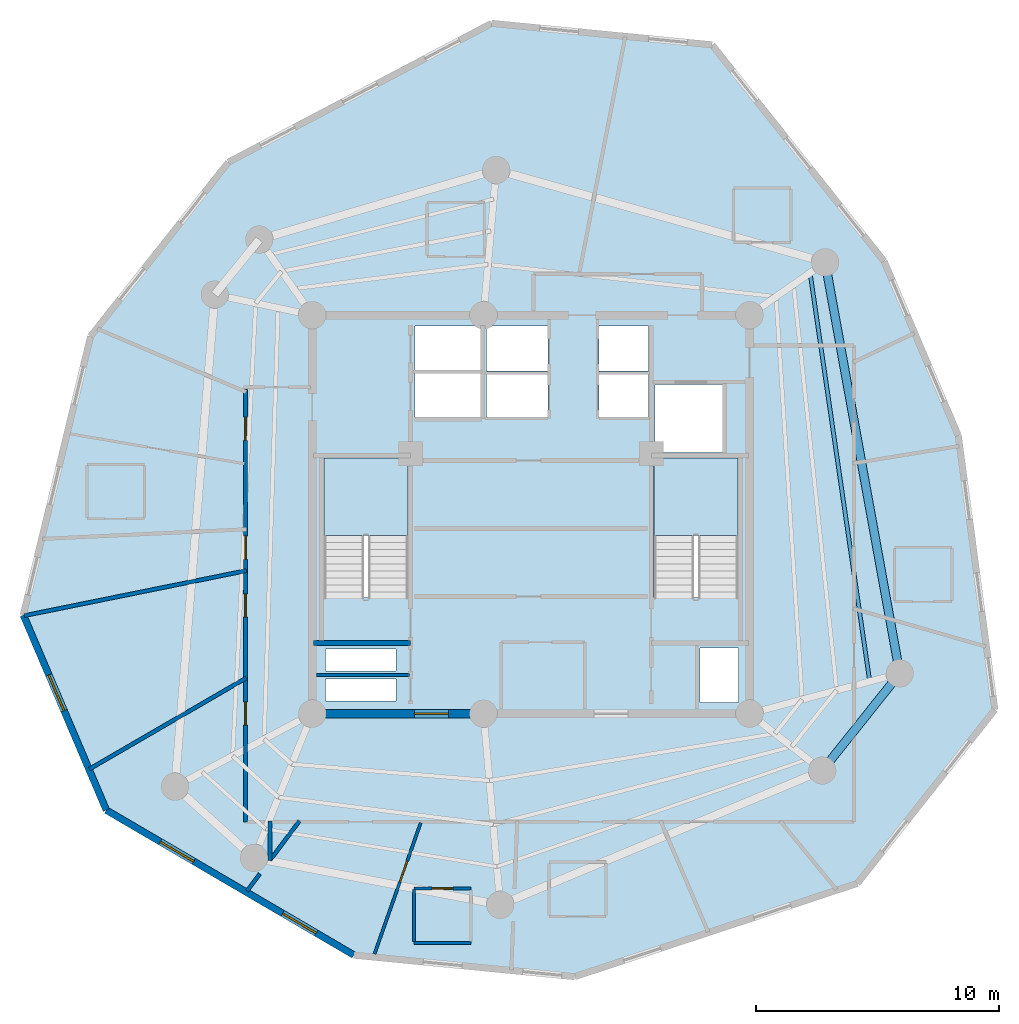
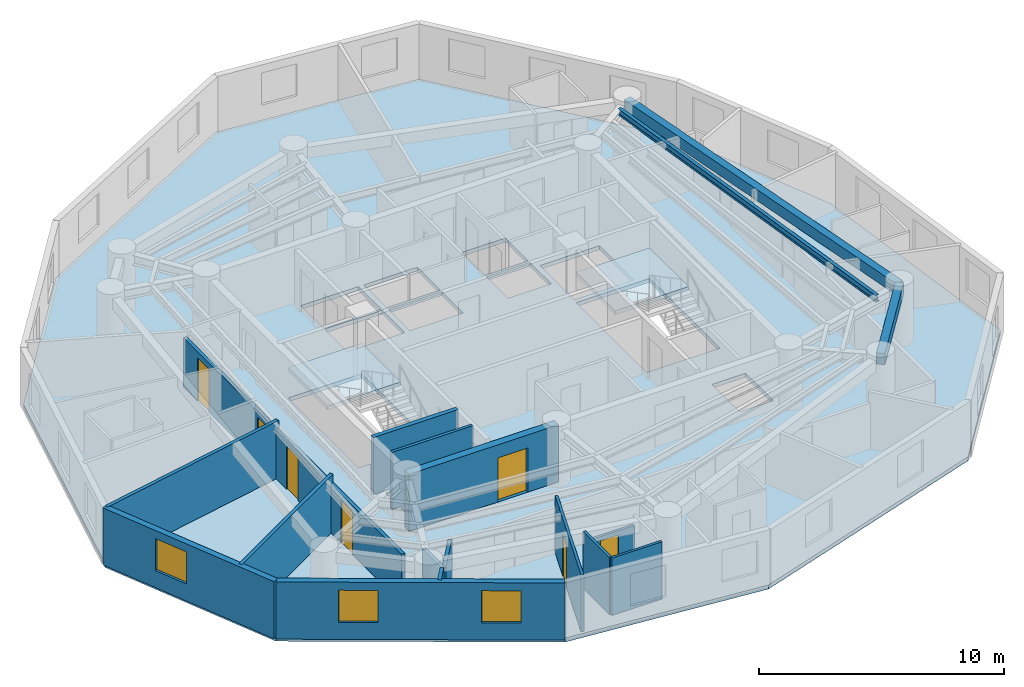
# One storey, part 2 of 7: 15 walls, 7 doors, 3 beams, 3 slabs, 3 windows, 10 openings, 2 elements without a shape of their own.
"""IFC4 building model written with IfcOpenShell, lengths in metres."""

from ifc_helpers import new_model, si_unit, direction, frame, frame_2d, origin, origin_with_axes, origin_2d, place, context, subcontext, project, spatial, polyline, rectangle, i_section, outline, extrude, source, transform, mapped, material, layer, layer_set, material_profile, profile_set, type_object, element, fill, aggregate, save


model = new_model("IFC4")

# Units and contexts
model_context = context("Model", 3, precision=1e-05, world=origin(), true_north=direction((0.0, 1.0)))
body_context = subcontext(model_context, "Body", "Model", "MODEL_VIEW")
ifc_project = project(units=[si_unit("LENGTHUNIT", "METRE"), si_unit("AREAUNIT", "SQUARE_METRE"), si_unit("VOLUMEUNIT", "CUBIC_METRE"), si_unit("PLANEANGLEUNIT", "RADIAN"), si_unit("MASSUNIT", "GRAM", prefix="KILO")], contexts=[model_context])

# Site, building, storey
site_placement = place(None, origin())
site = spatial("IfcSite", under=ifc_project, at=site_placement, CompositionType="ELEMENT")
building_placement = place(site_placement, origin())
building = spatial("IfcBuilding", under=site, at=building_placement, Name="Karkom Vertical University and Central Library", CompositionType="ELEMENT")
storey_placement = place(building_placement, frame((0.0, 0.0, 244.35009765625)))
storey = spatial("IfcBuildingStorey", under=building, at=storey_placement, Name="L72", CompositionType="ELEMENT", Elevation=244.35009765625)

# Beams
ifc_material_1 = material(Name="Precast concrete C45/55", Category="concrete")
ifc_material_profile_1 = material_profile(ifc_material_1, rectangle(XDim=0.35009765625, YDim=0.550048828125, at=origin_2d()), Name="SPB-350x550")
ifc_profile_set_1 = profile_set([ifc_material_profile_1], Name="Precast concrete C45/55")
beam_type_1 = type_object("IfcBeamType", Name="STR-BM-SP-2", PredefinedType="SPANDREL", material=ifc_profile_set_1)
shared_shape_1 = source(origin_with_axes(), body_context, "Body", "SweptSolid", [
    extrude(rectangle(XDim=0.35009765625, YDim=0.550048828125, at=origin_2d()), origin(), (0.0, 0.0, 1.0), 17.19970703125),
])
beam_1_placement = place(storey_placement, frame((43.681884765625, 19.9560546875, 2.574951171875), z_axis=(-0.178423249727, 0.983953832228, 0.0), x_axis=(-0.983953832228, -0.178423249727, 0.0)))
element("IfcBeam", 1, at=beam_1_placement, inside=storey, type_object=beam_type_1, Name="Level 72 Perimeter Spandrel Beam 01", PredefinedType="SPANDREL", context=body_context, shape_type="MappedRepresentation", body=[
    mapped(shared_shape_1, transform((0.0, 0.0, 0.0), scale=1.0)),
])
shared_shape_2 = source(origin_with_axes(), body_context, "Body", "SweptSolid", [
    extrude(rectangle(XDim=0.35009765625, YDim=0.550048828125, at=origin_2d()), origin(), (0.0, 0.0, 1.0), 5.112060546875),
])
beam_2_placement = place(storey_placement, frame((40.493896484375, 15.9599609375, 2.574951171875), z_axis=(0.623634459503, 0.78171609995, 0.0), x_axis=(-0.78171609995, 0.623634459503, 0.0)))
element("IfcBeam", 2, at=beam_2_placement, inside=storey, type_object=beam_type_1, Name="Level 72 Perimeter Spandrel Beam 09", PredefinedType="SPANDREL", context=body_context, shape_type="MappedRepresentation", body=[
    mapped(shared_shape_2, transform((0.0, 0.0, 0.0), scale=1.0)),
])
ifc_material_2 = material(Name="Steel S355", Category="steel")
ifc_material_profile_2 = material_profile(ifc_material_2, i_section(OverallWidth=0.159912109375, OverallDepth=0.330078125, WebThickness=0.007568359375, FlangeThickness=0.011474609375, FilletRadius=0.01806640625, at=origin_2d()), Name="IPE 330")
ifc_profile_set_2 = profile_set([ifc_material_profile_2], Name="Steel S355")
beam_type_2 = type_object("IfcBeamType", Name="STR-BM-SB-IPE330", PredefinedType="BEAM", material=ifc_profile_set_2)
shared_shape_3 = source(origin_with_axes(), body_context, "Body", "SweptSolid", [
    extrude(i_section(OverallWidth=0.159912109375, OverallDepth=0.330078125, WebThickness=0.007568359375, FlangeThickness=0.011474609375, FilletRadius=0.01806640625, at=origin_2d()), origin(), (0.0, 0.0, 1.0), 16.99755859375),
])
beam_3_placement = place(storey_placement, frame((42.445556640625, 19.624755859375, 2.684814453125), z_axis=(-0.144436985275, 0.98951400055, 0.0), x_axis=(-0.98951400055, -0.144436985275, 0.0)))
element("IfcBeam", 3, at=beam_3_placement, inside=storey, type_object=beam_type_2, Name="Level 72 Secondary Composite Floor Beam 3.01", PredefinedType="BEAM", context=body_context, shape_type="MappedRepresentation", body=[
    mapped(shared_shape_3, transform((0.0, 0.0, 0.0), scale=1.0)),
])

# Stair, slab
ifc_material_3 = material(Name="Concrete C45/55", Category="concrete")
stair_type = type_object("IfcStairType", Name="INT-STR-ST-MAIN", PredefinedType="HALF_TURN_STAIR", material=ifc_material_3)
stair_1_placement = place(storey_placement, origin())
stair_1 = element("IfcStair", 4, at=stair_1_placement, inside=storey, type_object=stair_type, Name="Level 72 Tower Protected Exit Stair ST-1", PredefinedType="HALF_TURN_STAIR")
ifc_layer_1 = layer(ifc_material_3, 0.199951171875)
ifc_layer_set_1 = layer_set([ifc_layer_1], Name="Concrete C45/55")
slab_type_1 = type_object("IfcSlabType", Name="INT-SLB-LANDING", PredefinedType="LANDING", material=ifc_layer_set_1)
slab_1_placement = place(storey_placement, frame((0.0, 0.0, 1.324951171875)))
slab_1 = element("IfcSlab", 5, at=slab_1_placement, type_object=slab_type_1, Name="ST-1 landing 1", PredefinedType="LANDING", context=body_context, shape_type="SweptSolid", body=[
    extrude(outline(polyline([(23.43994140625, 25.6298828125), (23.43994140625, 28.820068359375), (19.97998046875, 28.820068359375), (19.97998046875, 25.6298828125), (23.43994140625, 25.6298828125)])), origin(), (0.0, 0.0, 1.0), 0.199951171875),
])
aggregate(stair_1, [slab_1])

stair_2_placement = place(storey_placement, origin())
stair_2 = element("IfcStair", 6, at=stair_2_placement, inside=storey, type_object=stair_type, Name="Level 72 Tower Protected Exit Stair ST-2", PredefinedType="HALF_TURN_STAIR")
slab_2_placement = place(storey_placement, frame((0.0, 0.0, 1.324951171875)))
slab_2 = element("IfcSlab", 7, at=slab_2_placement, type_object=slab_type_1, Name="ST-2 landing 1", PredefinedType="LANDING", context=body_context, shape_type="SweptSolid", body=[
    extrude(outline(polyline([(37.02001953125, 25.6298828125), (37.02001953125, 28.820068359375), (33.56005859375, 28.820068359375), (33.56005859375, 25.6298828125), (37.02001953125, 25.6298828125)])), origin(), (0.0, 0.0, 1.0), 0.199951171875),
])
aggregate(stair_2, [slab_2])

# Slab
ifc_material_4 = material(Name="Concrete C40/50", Category="concrete")
ifc_layer_2 = layer(ifc_material_4, 0.199951171875)
ifc_layer_set_2 = layer_set([ifc_layer_2], Name="Concrete C40/50")
slab_type_2 = type_object("IfcSlabType", Name="STR-SLB-FLR-200", PredefinedType="FLOOR", material=ifc_layer_set_2)
slab_3_placement = place(storey_placement, frame((0.0, 0.0, -0.2001953125)))
element("IfcSlab", 8, at=slab_3_placement, inside=storey, type_object=slab_type_2, Name="Level 72 Tower Structural Floor Slab", PredefinedType="FLOOR", context=body_context, shape_type="SweptSolid", body=[
    extrude(outline(polyline([(7.60888671875, 22.35791015625), (11.025146484375, 14.3251953125), (21.2099609375, 8.36328125), (30.303466796875, 7.477783203125), (41.935302734375, 11.3154296875), (47.593017578125, 18.464599609375), (46.08740234375, 29.745361328125), (43.037109375, 36.9169921875), (35.955810546875, 45.82666015625), (26.8818359375, 46.710205078125), (16.04931640625, 40.993896484375), (10.379150390625, 33.829345703125), (7.60888671875, 22.35791015625)]), holes=[polyline([(19.97998046875, 23.0849609375), (23.43994140625, 23.0849609375), (23.43994140625, 28.820068359375), (19.97998046875, 28.820068359375), (19.97998046875, 23.0849609375)]), polyline([(33.56005859375, 23.0849609375), (37.02001953125, 23.0849609375), (37.02001953125, 28.820068359375), (33.56005859375, 28.820068359375), (33.56005859375, 23.0849609375)]), polyline([(26.679931640625, 30.5), (29.199951171875, 30.5), (29.199951171875, 32.25), (26.679931640625, 32.25), (26.679931640625, 30.5)]), polyline([(26.679931640625, 32.39990234375), (29.199951171875, 32.39990234375), (29.199951171875, 34.25), (26.679931640625, 34.25), (26.679931640625, 32.39990234375)]), polyline([(31.300048828125, 30.5), (33.35009765625, 30.5), (33.35009765625, 32.25), (31.300048828125, 32.25), (31.300048828125, 30.5)]), polyline([(31.300048828125, 32.39990234375), (33.35009765625, 32.39990234375), (33.35009765625, 34.25), (31.300048828125, 34.25), (31.300048828125, 32.39990234375)]), polyline([(23.719970703125, 30.47998046875), (26.429931640625, 30.47998046875), (26.429931640625, 32.320068359375), (23.719970703125, 32.320068359375), (23.719970703125, 30.47998046875)]), polyline([(23.719970703125, 32.419921875), (26.429931640625, 32.419921875), (26.429931640625, 34.260009765625), (23.719970703125, 34.260009765625), (23.719970703125, 32.419921875)]), polyline([(33.60009765625, 29.050048828125), (36.39990234375, 29.050048828125), (36.39990234375, 31.85009765625), (33.60009765625, 31.85009765625), (33.60009765625, 29.050048828125)]), polyline([(20.050048828125, 18.820068359375), (22.949951171875, 18.820068359375), (22.949951171875, 19.719970703125), (20.050048828125, 19.719970703125), (20.050048828125, 18.820068359375)]), polyline([(20.050048828125, 20.06005859375), (22.949951171875, 20.06005859375), (22.949951171875, 20.9599609375), (20.050048828125, 20.9599609375), (20.050048828125, 20.06005859375)]), polyline([(35.4599609375, 18.760009765625), (37.0400390625, 18.760009765625), (37.0400390625, 21.010009765625), (35.4599609375, 21.010009765625), (35.4599609375, 18.760009765625)])]), origin(), (0.0, 0.0, 1.0), 0.2001953125),
])

# Wall, opening, window
ifc_material_5 = material(Name="Brick-faced precast concrete C45/55", Category="masonry")
ifc_layer_3 = layer(ifc_material_5, 0.280029296875)
ifc_layer_set_3 = layer_set([ifc_layer_3], Name="Brick-faced precast concrete C45/55")
wall_type_1 = type_object("IfcWallType", Name="ENV-WL-BRK-280", PredefinedType="SOLIDWALL", material=ifc_layer_set_3)
wall_1_placement = place(storey_placement, frame((7.60888671875, 22.35791015625, 0.0), z_axis=(0.0, 0.0, 1.0), x_axis=(0.391369236154, -0.920233731718, 0.0)))
wall_1 = element("IfcWall", 9, at=wall_1_placement, inside=storey, type_object=wall_type_1, Name="Level 72 Brick-Faced Precast Facade Wall 01", PredefinedType="SOLIDWALL", context=body_context, shape_type="SweptSolid", body=[
    extrude(rectangle(XDim=8.72900390625, YDim=0.280029296875, at=frame_2d((4.364501953125, 0.0))), origin(), (0.0, 0.0, 1.0), 2.849853515625),
])
opening_1_placement = place(wall_1_placement, frame((2.676513671875, 0.0, 0.85009765625)))
opening_1 = element("IfcOpeningElement", 10, at=opening_1_placement, cuts=wall_1, Name="Opening WN-10", PredefinedType="OPENING", context=body_context, shape_type="SweptSolid", body=[
    extrude(rectangle(XDim=1.60009765625, YDim=1.60009765625, at=frame_2d((0.800048828125, 0.800048828125))), frame((0.0, 0.14990234375, 0.0), z_axis=(0.0, -1.0, 0.0), x_axis=(1.0, 0.0, 0.0)), (0.0, 0.0, 1.0), 0.300048828125),
])
ifc_material_6 = material(Name="Aluminium thermal-break frame with solar-control IGU", Category="aluminium")
window_type = type_object("IfcWindowType", Name="ENV-WIN-WN-10", PartitioningType="SINGLE_PANEL", PredefinedType="WINDOW", material=ifc_material_6)
shared_shape_4 = source(origin_with_axes(), body_context, "Body", "SweptSolid", [
    extrude(rectangle(XDim=1.60009765625, YDim=1.60009765625, at=frame_2d((0.800048828125, 0.800048828125))), frame((0.0, 0.030029296875, 0.0), z_axis=(0.0, -1.0, 0.0), x_axis=(1.0, 0.0, 0.0)), (0.0, 0.0, 1.0), 0.06005859375),
])
window_1_placement = place(opening_1_placement, origin())
window_1 = element("IfcWindow", 11, at=window_1_placement, inside=storey, type_object=window_type, Name="Level 72 Punched Window 1.1", OverallHeight=1.60009765625, OverallWidth=1.60009765625, PartitioningType="SINGLE_PANEL", PredefinedType="WINDOW", context=body_context, shape_type="MappedRepresentation", body=[
    mapped(shared_shape_4, transform((0.0, 0.0, 0.0), scale=1.0)),
])
fill(opening_1, window_1)

# Wall, openings, windows
wall_2_placement = place(storey_placement, frame((11.025146484375, 14.3251953125, 0.0), z_axis=(0.0, 0.0, 1.0), x_axis=(0.863011829574, -0.505183711154, 0.0)))
wall_2 = element("IfcWall", 12, at=wall_2_placement, inside=storey, type_object=wall_type_1, Name="Level 72 Brick-Faced Precast Facade Wall 02", PredefinedType="SOLIDWALL", context=body_context, shape_type="SweptSolid", body=[
    extrude(rectangle(XDim=11.801513671875, YDim=0.280029296875, at=frame_2d((5.90087890625, 0.0))), origin(), (0.0, 0.0, 1.0), 2.849853515625),
])
opening_2_placement = place(wall_2_placement, frame((2.568603515625, 0.0, 0.85009765625)))
opening_2 = element("IfcOpeningElement", 13, at=opening_2_placement, cuts=wall_2, Name="Opening WN-10", PredefinedType="OPENING", context=body_context, shape_type="SweptSolid", body=[
    extrude(rectangle(XDim=1.60009765625, YDim=1.60009765625, at=frame_2d((0.800048828125, 0.800048828125))), frame((0.0, 0.14990234375, 0.0), z_axis=(0.0, -1.0, 0.0), x_axis=(1.0, 0.0, 0.0)), (0.0, 0.0, 1.0), 0.300048828125),
])
opening_3_placement = place(wall_2_placement, frame((8.4091796875, 0.0, 0.85009765625)))
opening_3 = element("IfcOpeningElement", 14, at=opening_3_placement, cuts=wall_2, Name="Opening WN-10", PredefinedType="OPENING", context=body_context, shape_type="SweptSolid", body=[
    extrude(rectangle(XDim=1.60009765625, YDim=1.60009765625, at=frame_2d((0.800048828125, 0.800048828125))), frame((0.0, 0.14990234375, 0.0), z_axis=(0.0, -1.0, 0.0), x_axis=(1.0, 0.0, 0.0)), (0.0, 0.0, 1.0), 0.300048828125),
])
window_2_placement = place(opening_2_placement, origin())
window_2 = element("IfcWindow", 15, at=window_2_placement, inside=storey, type_object=window_type, Name="Level 72 Punched Window 2.1", OverallHeight=1.60009765625, OverallWidth=1.60009765625, PartitioningType="SINGLE_PANEL", PredefinedType="WINDOW", context=body_context, shape_type="MappedRepresentation", body=[
    mapped(shared_shape_4, transform((0.0, 0.0, 0.0), scale=1.0)),
])
fill(opening_2, window_2)
window_3_placement = place(opening_3_placement, origin())
window_3 = element("IfcWindow", 16, at=window_3_placement, inside=storey, type_object=window_type, Name="Level 72 Punched Window 2.2", OverallHeight=1.60009765625, OverallWidth=1.60009765625, PartitioningType="SINGLE_PANEL", PredefinedType="WINDOW", context=body_context, shape_type="MappedRepresentation", body=[
    mapped(shared_shape_4, transform((0.0, 0.0, 0.0), scale=1.0)),
])
fill(opening_3, window_3)

# Wall, openings, doors
ifc_material_7 = material(Name="Insulated metal-stud drywall 160mm", Category="gypsum")
ifc_layer_4 = layer(ifc_material_7, 0.159912109375)
ifc_layer_set_4 = layer_set([ifc_layer_4], Name="Insulated metal-stud drywall 160mm")
wall_type_2 = type_object("IfcWallType", Name="INT-WL-COR-160", PredefinedType="PARTITIONING", material=ifc_layer_set_4)
wall_3_placement = place(storey_placement, frame((16.75, 13.85009765625, 0.0), z_axis=(0.0, 0.0, 1.0), x_axis=(0.0, 1.0, 0.0)))
wall_3 = element("IfcWall", 17, at=wall_3_placement, inside=storey, type_object=wall_type_2, Name="Level 72 Interior Partition Wall L72-CORW-CW-002", PredefinedType="PARTITIONING", context=body_context, shape_type="SweptSolid", body=[
    extrude(rectangle(XDim=17.7998046875, YDim=0.159912109375, at=frame_2d((8.89990234375, 0.0))), origin(), (0.0, 0.0, 1.0), 2.449951171875),
])
opening_4_placement = place(wall_3_placement, frame((15.69970703125, 0.0, 0.0)))
opening_4 = element("IfcOpeningElement", 18, at=opening_4_placement, cuts=wall_3, Name="Opening FD-RM2", PredefinedType="OPENING", context=body_context, shape_type="SweptSolid", body=[
    extrude(rectangle(XDim=0.9599609375, YDim=2.14990234375, at=frame_2d((0.47998046875, 1.074951171875))), frame((0.0, 0.08984375, 0.0), z_axis=(0.0, -1.0, 0.0), x_axis=(1.0, 0.0, 0.0)), (0.0, 0.0, 1.0), 0.179931640625),
])
opening_5_placement = place(wall_3_placement, frame((10.804931640625, 0.0, 0.0)))
opening_5 = element("IfcOpeningElement", 19, at=opening_5_placement, cuts=wall_3, Name="Opening FD-RM2", PredefinedType="OPENING", context=body_context, shape_type="SweptSolid", body=[
    extrude(rectangle(XDim=0.9599609375, YDim=2.14990234375, at=frame_2d((0.47998046875, 1.074951171875))), frame((0.0, 0.08984375, 0.0), z_axis=(0.0, -1.0, 0.0), x_axis=(1.0, 0.0, 0.0)), (0.0, 0.0, 1.0), 0.179931640625),
])
opening_6_placement = place(wall_3_placement, frame((8.425048828125, 0.0, 0.0)))
opening_6 = element("IfcOpeningElement", 20, at=opening_6_placement, cuts=wall_3, Name="Opening FD-RM2", PredefinedType="OPENING", context=body_context, shape_type="SweptSolid", body=[
    extrude(rectangle(XDim=0.9599609375, YDim=2.14990234375, at=frame_2d((0.47998046875, 1.074951171875))), frame((0.0, 0.08984375, 0.0), z_axis=(0.0, -1.0, 0.0), x_axis=(1.0, 0.0, 0.0)), (0.0, 0.0, 1.0), 0.179931640625),
])
opening_7_placement = place(wall_3_placement, frame((3.97509765625, 0.0, 0.0)))
opening_7 = element("IfcOpeningElement", 21, at=opening_7_placement, cuts=wall_3, Name="Opening FD-RM2", PredefinedType="OPENING", context=body_context, shape_type="SweptSolid", body=[
    extrude(rectangle(XDim=0.9599609375, YDim=2.14990234375, at=frame_2d((0.47998046875, 1.074951171875))), frame((0.0, 0.08984375, 0.0), z_axis=(0.0, -1.0, 0.0), x_axis=(1.0, 0.0, 0.0)), (0.0, 0.0, 1.0), 0.179931640625),
])
ifc_material_8 = material(Name="Fire-rated oak veneer door", Category="wood")
door_type_1 = type_object("IfcDoorType", Name="INT-DR-FRM2", OperationType="NOTDEFINED", PredefinedType="DOOR", material=ifc_material_8)
shared_shape_5 = source(origin_with_axes(), body_context, "Body", "SweptSolid", [
    extrude(rectangle(XDim=0.9599609375, YDim=2.14990234375, at=frame_2d((0.47998046875, 1.074951171875))), frame((0.0, 0.02490234375, 0.0), z_axis=(0.0, -1.0, 0.0), x_axis=(1.0, 0.0, 0.0)), (0.0, 0.0, 1.0), 0.050048828125),
])
door_1_placement = place(opening_4_placement, origin())
door_1 = element("IfcDoor", 22, at=door_1_placement, inside=storey, type_object=door_type_1, Name="Level 72 Room Entry Door 422", OperationType="SINGLE_SWING_RIGHT", OverallHeight=2.14990234375, OverallWidth=0.9599609375, PredefinedType="DOOR", context=body_context, shape_type="MappedRepresentation", body=[
    mapped(shared_shape_5, transform((0.0, 0.0, 0.0), scale=1.0)),
])
fill(opening_4, door_1)
door_2_placement = place(opening_5_placement, origin())
door_2 = element("IfcDoor", 23, at=door_2_placement, inside=storey, type_object=door_type_1, Name="Level 72 Room Entry Door 300", OperationType="SINGLE_SWING_LEFT", OverallHeight=2.14990234375, OverallWidth=0.9599609375, PredefinedType="DOOR", context=body_context, shape_type="MappedRepresentation", body=[
    mapped(shared_shape_5, transform((0.0, 0.0, 0.0), scale=1.0)),
])
fill(opening_5, door_2)
door_3_placement = place(opening_6_placement, origin())
door_3 = element("IfcDoor", 24, at=door_3_placement, inside=storey, type_object=door_type_1, Name="Level 72 Room Entry Door 301", OperationType="SINGLE_SWING_RIGHT", OverallHeight=2.14990234375, OverallWidth=0.9599609375, PredefinedType="DOOR", context=body_context, shape_type="MappedRepresentation", body=[
    mapped(shared_shape_5, transform((0.0, 0.0, 0.0), scale=1.0)),
])
fill(opening_6, door_3)
door_4_placement = place(opening_7_placement, origin())
door_4 = element("IfcDoor", 25, at=door_4_placement, inside=storey, type_object=door_type_1, Name="Level 72 Room Entry Door 302", OperationType="SINGLE_SWING_LEFT", OverallHeight=2.14990234375, OverallWidth=0.9599609375, PredefinedType="DOOR", context=body_context, shape_type="MappedRepresentation", body=[
    mapped(shared_shape_5, transform((0.0, 0.0, 0.0), scale=1.0)),
])
fill(opening_7, door_4)

# Walls
wall_4_placement = place(storey_placement, frame((16.794189453125, 24.1875, 0.0), z_axis=(0.0, 0.0, 1.0), x_axis=(-0.980057031383, -0.198716419144, 0.0)))
element("IfcWall", 26, at=wall_4_placement, inside=storey, type_object=wall_type_2, Name="Level 72 Interior Partition Wall L72-PW-001", PredefinedType="PARTITIONING", context=body_context, shape_type="SweptSolid", body=[
    extrude(rectangle(XDim=9.332275390625, YDim=0.159912109375, at=frame_2d((4.666015625, 0.0))), origin(), (0.0, 0.0, 1.0), 2.849853515625),
])
wall_5_placement = place(storey_placement, frame((16.788818359375, 19.77001953125, 0.0), z_axis=(0.0, 0.0, 1.0), x_axis=(-0.864795816659, -0.502123685449, 0.0)))
element("IfcWall", 27, at=wall_5_placement, inside=storey, type_object=wall_type_2, Name="Level 72 Interior Partition Wall L72-PW-003", PredefinedType="PARTITIONING", context=body_context, shape_type="SweptSolid", body=[
    extrude(rectangle(XDim=7.466796875, YDim=0.159912109375, at=frame_2d((3.7333984375, 0.0))), origin(), (0.0, 0.0, 1.0), 2.849853515625),
])
wall_6_placement = place(storey_placement, frame((18.9765625, 13.885986328125, 0.0), z_axis=(0.0, 0.0, 1.0), x_axis=(-0.599536769063, -0.80034721374, 0.0)))
element("IfcWall", 28, at=wall_6_placement, inside=storey, type_object=wall_type_2, Name="Level 72 Interior Partition Wall L72-PW-004", PredefinedType="PARTITIONING", context=body_context, shape_type="SweptSolid", body=[
    extrude(rectangle(XDim=2.024169921875, YDim=0.159912109375, at=frame_2d((1.01220703125, 0.0))), origin(), (0.0, 0.0, 1.0), 2.349853515625),
])
wall_7_placement = place(storey_placement, frame((17.762939453125, 12.265869140625, 0.0), z_axis=(0.0, 0.0, 1.0), x_axis=(0.0, 1.0, 0.0)))
element("IfcWall", 29, at=wall_7_placement, inside=storey, type_object=wall_type_2, Name="Level 72 Interior Partition Wall L72-PW-005", PredefinedType="PARTITIONING", context=body_context, shape_type="SweptSolid", body=[
    extrude(rectangle(XDim=1.614013671875, YDim=0.159912109375, at=frame_2d((0.80712890625, 0.0))), origin(), (0.0, 0.0, 1.0), 2.349853515625),
])
wall_8_placement = place(storey_placement, frame((17.343505859375, 11.7060546875, 0.0), z_axis=(0.0, 0.0, 1.0), x_axis=(-0.599420746123, -0.800434112914, 0.0)))
element("IfcWall", 30, at=wall_8_placement, inside=storey, type_object=wall_type_2, Name="Level 72 Interior Partition Wall L72-PW-006", PredefinedType="PARTITIONING", context=body_context, shape_type="SweptSolid", body=[
    extrude(rectangle(XDim=0.876953125, YDim=0.159912109375, at=frame_2d((0.4384765625, 0.0))), origin(), (0.0, 0.0, 1.0), 2.849853515625),
])

# Wall, opening, door
ifc_material_9 = material(Name="Moisture-resistant drywall 120mm", Category="gypsum")
ifc_layer_5 = layer(ifc_material_9, 0.1201171875)
ifc_layer_set_5 = layer_set([ifc_layer_5], Name="Moisture-resistant drywall 120mm")
wall_type_3 = type_object("IfcWallType", Name="INT-WL-INT-120", PredefinedType="PARTITIONING", material=ifc_layer_set_5)
wall_9_placement = place(storey_placement, frame((23.96630859375, 13.8125, 0.0), z_axis=(0.0, 0.0, 1.0), x_axis=(-0.332307646576, -0.943171049189, 0.0)))
wall_9 = element("IfcWall", 31, at=wall_9_placement, inside=storey, type_object=wall_type_3, Name="Level 72 Interior Partition Wall L72-APT-04-DIV", PredefinedType="PARTITIONING", context=body_context, shape_type="SweptSolid", body=[
    extrude(rectangle(XDim=5.73193359375, YDim=0.1201171875, at=frame_2d((2.865966796875, 0.0))), origin(), (0.0, 0.0, 1.0), 2.849853515625),
])
opening_8_placement = place(wall_9_placement, frame((1.67431640625, 0.0, 0.0)))
opening_8 = element("IfcOpeningElement", 32, at=opening_8_placement, cuts=wall_9, Name="Opening D-INT1", PredefinedType="OPENING", context=body_context, shape_type="SweptSolid", body=[
    extrude(rectangle(XDim=0.89990234375, YDim=2.10009765625, at=frame_2d((0.449951171875, 1.050048828125))), frame((0.0, 0.070068359375, 0.0), z_axis=(0.0, -1.0, 0.0), x_axis=(1.0, 0.0, 0.0)), (0.0, 0.0, 1.0), 0.14013671875),
])
ifc_material_10 = material(Name="Painted solid-core timber door", Category="wood")
door_type_2 = type_object("IfcDoorType", Name="INT-DR-INT1", OperationType="NOTDEFINED", PredefinedType="DOOR", material=ifc_material_10)
shared_shape_6 = source(origin_with_axes(), body_context, "Body", "SweptSolid", [
    extrude(rectangle(XDim=0.89990234375, YDim=2.10009765625, at=frame_2d((0.449951171875, 1.050048828125))), frame((0.0, 0.02490234375, 0.0), z_axis=(0.0, -1.0, 0.0), x_axis=(1.0, 0.0, 0.0)), (0.0, 0.0, 1.0), 0.050048828125),
])
door_5_placement = place(opening_8_placement, origin())
door_5 = element("IfcDoor", 33, at=door_5_placement, inside=storey, type_object=door_type_2, Name="Level 72 Flat L72-04 Internal Door", OperationType="SINGLE_SWING_RIGHT", OverallHeight=2.10009765625, OverallWidth=0.89990234375, PredefinedType="DOOR", context=body_context, shape_type="MappedRepresentation", body=[
    mapped(shared_shape_6, transform((0.0, 0.0, 0.0), scale=1.0)),
])
fill(opening_8, door_5)

# Wall
ifc_layer_6 = layer(ifc_material_9, 0.1201171875)
ifc_layer_set_6 = layer_set([ifc_layer_6], Name="Moisture-resistant drywall 120mm")
wall_type_4 = type_object("IfcWallType", Name="INT-WL-INT-120F", PredefinedType="PARTITIONING", material=ifc_layer_set_6)
wall_10_placement = place(storey_placement, frame((23.68310546875, 8.863037109375, 0.0), z_axis=(0.0, 0.0, 1.0), x_axis=(1.0, 0.0, 0.0)))
element("IfcWall", 34, at=wall_10_placement, inside=storey, type_object=wall_type_4, Name="Level 72 Interior Partition Wall L72-ENS-43-S", PredefinedType="PARTITIONING", context=body_context, shape_type="SweptSolid", body=[
    extrude(rectangle(XDim=2.35986328125, YDim=0.1201171875, at=frame_2d((1.179931640625, 0.0))), origin(), (0.0, 0.0, 1.0), 2.849853515625),
])

# Wall, opening, door
wall_11_placement = place(storey_placement, frame((26.04296875, 11.10302734375, 0.0), z_axis=(0.0, 0.0, 1.0), x_axis=(-1.0, 0.0, 0.0)))
wall_11 = element("IfcWall", 35, at=wall_11_placement, inside=storey, type_object=wall_type_4, Name="Level 72 Interior Partition Wall L72-ENS-43-N", PredefinedType="PARTITIONING", context=body_context, shape_type="SweptSolid", body=[
    extrude(rectangle(XDim=2.35986328125, YDim=0.1201171875, at=frame_2d((1.179931640625, 0.0))), origin(), (0.0, 0.0, 1.0), 2.2998046875),
])
opening_9_placement = place(wall_11_placement, frame((0.75, 0.0, 0.0)))
opening_9 = element("IfcOpeningElement", 36, at=opening_9_placement, cuts=wall_11, Name="Opening D-BATH", PredefinedType="OPENING", context=body_context, shape_type="SweptSolid", body=[
    extrude(rectangle(XDim=0.860107421875, YDim=2.10009765625, at=frame_2d((0.43017578125, 1.050048828125))), frame((0.0, 0.070068359375, 0.0), z_axis=(0.0, -1.0, 0.0), x_axis=(1.0, 0.0, 0.0)), (0.0, 0.0, 1.0), 0.14013671875),
])
ifc_material_11 = material(Name="Moisture-resistant oak door", Category="wood")
door_type_3 = type_object("IfcDoorType", Name="INT-DR-BATH", OperationType="NOTDEFINED", PredefinedType="DOOR", material=ifc_material_11)
shared_shape_7 = source(origin_with_axes(), body_context, "Body", "SweptSolid", [
    extrude(rectangle(XDim=0.860107421875, YDim=2.10009765625, at=frame_2d((0.43017578125, 1.050048828125))), frame((0.0, 0.02490234375, 0.0), z_axis=(0.0, -1.0, 0.0), x_axis=(1.0, 0.0, 0.0)), (0.0, 0.0, 1.0), 0.050048828125),
])
door_6_placement = place(opening_9_placement, origin())
door_6 = element("IfcDoor", 37, at=door_6_placement, inside=storey, type_object=door_type_3, Name="Level 72 En-Suite Bathroom Door 43", OperationType="SINGLE_SWING_LEFT", OverallHeight=2.10009765625, OverallWidth=0.860107421875, PredefinedType="DOOR", context=body_context, shape_type="MappedRepresentation", body=[
    mapped(shared_shape_7, transform((0.0, 0.0, 0.0), scale=1.0)),
])
fill(opening_9, door_6)

# Walls
wall_12_placement = place(storey_placement, frame((23.68310546875, 11.052978515625, 0.0), z_axis=(0.0, 0.0, 1.0), x_axis=(0.0, -1.0, 0.0)))
element("IfcWall", 38, at=wall_12_placement, inside=storey, type_object=wall_type_4, Name="Level 72 Interior Partition Wall L72-ENS-43-W", PredefinedType="PARTITIONING", context=body_context, shape_type="SweptSolid", body=[
    extrude(rectangle(XDim=2.139892578125, YDim=0.1201171875, at=frame_2d((1.06982421875, 0.0))), origin(), (0.0, 0.0, 1.0), 2.849853515625),
])
ifc_material_12 = material(Name="Metal-stud gypsum partition 140mm", Category="gypsum")
ifc_layer_7 = layer(ifc_material_12, 0.139892578125)
ifc_layer_set_7 = layer_set([ifc_layer_7], Name="Metal-stud gypsum partition 140mm")
wall_type_5 = type_object("IfcWallType", Name="INT-WL-SUB-140H", PredefinedType="PARTITIONING", material=ifc_layer_set_7)
wall_13_placement = place(storey_placement, frame((19.681884765625, 19.889892578125, 0.0), z_axis=(0.0, 0.0, 1.0), x_axis=(1.0, 0.0, 0.0)))
element("IfcWall", 39, at=wall_13_placement, inside=storey, type_object=wall_type_5, Name="Level 72 Interior Partition Wall L72-CW-RIS-W", PredefinedType="PARTITIONING", context=body_context, shape_type="SweptSolid", body=[
    extrude(rectangle(XDim=3.8154296875, YDim=0.139892578125, at=frame_2d((1.90771484375, 0.0))), origin(), (0.0, 0.0, 1.0), 2.849853515625),
])

# Wall, opening, door
ifc_layer_8 = layer(ifc_material_3, 0.35009765625)
ifc_layer_set_8 = layer_set([ifc_layer_8], Name="Concrete C45/55")
wall_type_6 = type_object("IfcWallType", Name="STR-WL-CW-350", PredefinedType="SHEAR", material=ifc_layer_set_8)
wall_14_placement = place(storey_placement, frame((19.5, 18.300048828125, 0.0), z_axis=(0.0, 0.0, 1.0), x_axis=(1.0, 0.0, 0.0)))
wall_14 = element("IfcWall", 40, at=wall_14_placement, inside=storey, type_object=wall_type_6, Name="Level 72 Central Core Shear Wall SW1", PredefinedType="SHEAR", context=body_context, shape_type="SweptSolid", body=[
    extrude(rectangle(XDim=7.050048828125, YDim=0.35009765625, at=frame_2d((3.52490234375, 0.0))), origin(), (0.0, 0.0, 1.0), 2.849853515625),
])
opening_10_placement = place(wall_14_placement, frame((4.199951171875, 0.0, 0.0)))
opening_10 = element("IfcOpeningElement", 41, at=opening_10_placement, cuts=wall_14, Name="Opening FD-CLB", PredefinedType="OPENING", context=body_context, shape_type="SweptSolid", body=[
    extrude(rectangle(XDim=1.39990234375, YDim=2.199951171875, at=frame_2d((0.699951171875, 1.10009765625))), frame((0.0, 0.18505859375, 0.0), z_axis=(0.0, -1.0, 0.0), x_axis=(1.0, 0.0, 0.0)), (0.0, 0.0, 1.0), 0.3701171875),
])
ifc_material_13 = material(Name="Painted steel fire door", Category="steel")
door_type_4 = type_object("IfcDoorType", Name="INT-DR-CLB", OperationType="DOUBLE_DOOR_SINGLE_SWING", PredefinedType="DOOR", material=ifc_material_13)
shared_shape_8 = source(origin_with_axes(), body_context, "Body", "SweptSolid", [
    extrude(rectangle(XDim=1.39990234375, YDim=2.199951171875, at=frame_2d((0.699951171875, 1.10009765625))), frame((0.0, 0.02490234375, 0.0), z_axis=(0.0, -1.0, 0.0), x_axis=(1.0, 0.0, 0.0)), (0.0, 0.0, 1.0), 0.050048828125),
])
door_7_placement = place(opening_10_placement, origin())
door_7 = element("IfcDoor", 42, at=door_7_placement, inside=storey, type_object=door_type_4, Name="Level 72 South Core Lobby West Exit Door", OperationType="DOUBLE_DOOR_SINGLE_SWING", OverallHeight=2.199951171875, OverallWidth=1.39990234375, PredefinedType="DOOR", context=body_context, shape_type="MappedRepresentation", body=[
    mapped(shared_shape_8, transform((0.0, 0.0, 0.0), scale=1.0)),
])
fill(opening_10, door_7)

# Wall
ifc_layer_9 = layer(ifc_material_3, 0.199951171875)
ifc_layer_set_9 = layer_set([ifc_layer_9], Name="Concrete C45/55")
wall_type_7 = type_object("IfcWallType", Name="STR-WL-ST-200", PredefinedType="SHEAR", material=ifc_layer_set_9)
wall_15_placement = place(storey_placement, frame((19.550048828125, 21.215087890625, 0.0), z_axis=(0.0, 0.0, 1.0), x_axis=(1.0, 0.0, 0.0)))
element("IfcWall", 43, at=wall_15_placement, inside=storey, type_object=wall_type_7, Name="Level 72 Core Shaft Wall L72-CW-ST1-S", PredefinedType="SHEAR", context=body_context, shape_type="SweptSolid", body=[
    extrude(rectangle(XDim=3.994873046875, YDim=0.199951171875, at=frame_2d((1.99755859375, 0.0))), origin(), (0.0, 0.0, 1.0), 2.849853515625),
])

save(model, "model.ifc")
